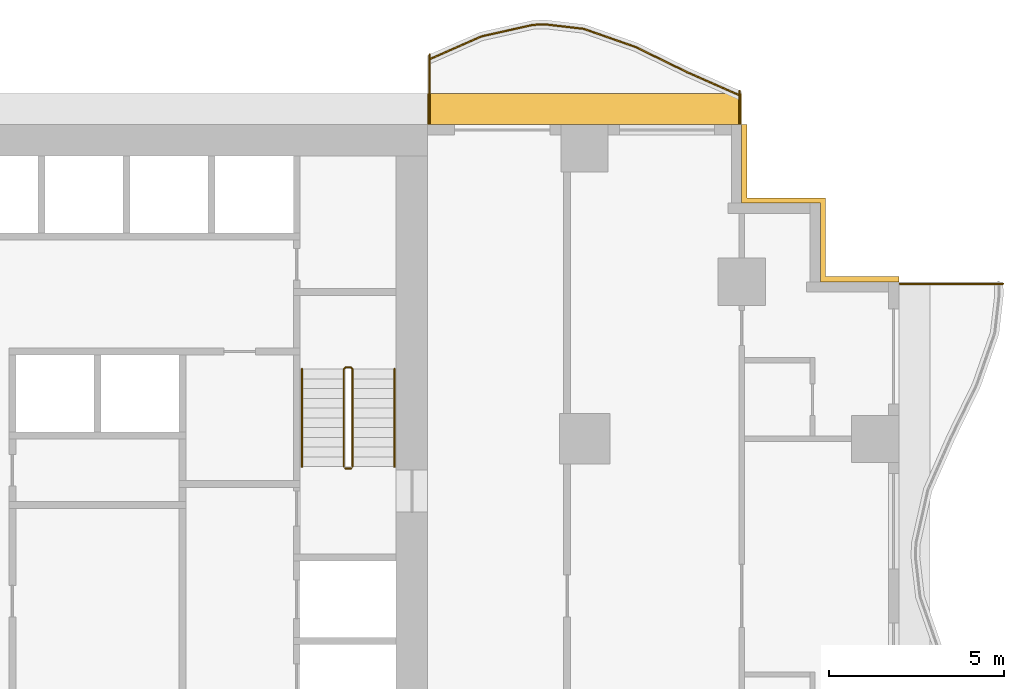
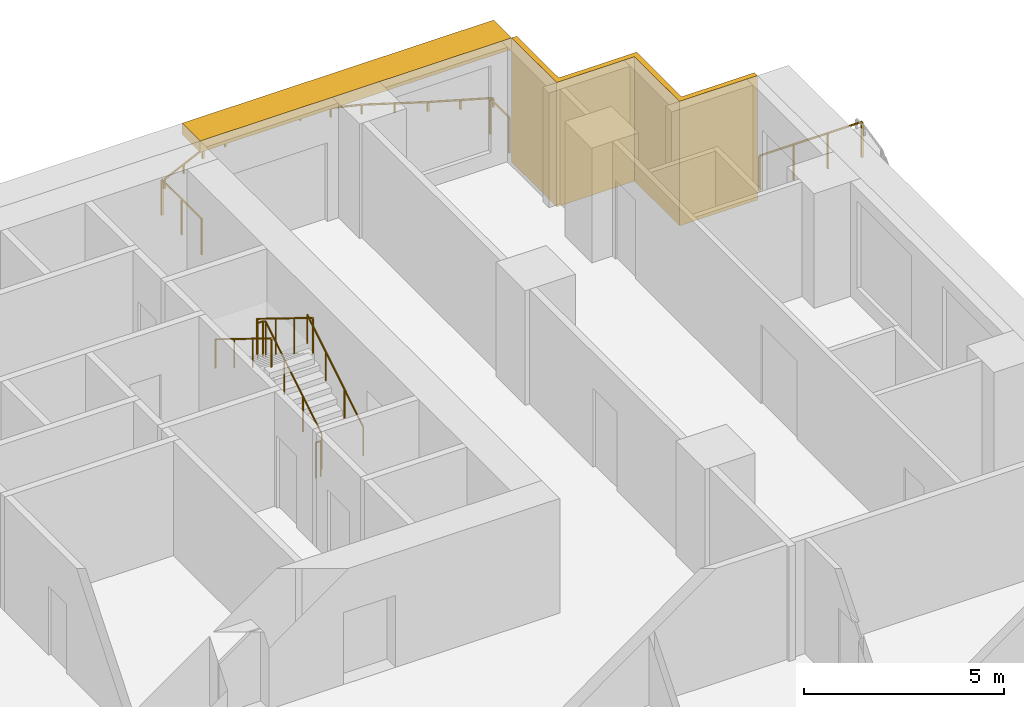
# One storey, part 14 of 14: 8 railings, 2 shading devices.
"""IFC4 building model written with IfcOpenShell, lengths in metres."""

from ifc_helpers import new_model, si_unit, direction, frame, origin, origin_2d, place, context, subcontext, project, spatial, polyline, rectangle, circle, outline, extrude, material, layer, layer_set, type_object, element, save


model = new_model("IFC4")

# Units and contexts
model_context = context("Model", 3, precision=1e-05, world=origin(), true_north=direction((0.0, 1.0)))
body_context = subcontext(model_context, "Body", "Model", "MODEL_VIEW")
ifc_project = project(units=[si_unit("LENGTHUNIT", "METRE"), si_unit("AREAUNIT", "SQUARE_METRE"), si_unit("VOLUMEUNIT", "CUBIC_METRE"), si_unit("PLANEANGLEUNIT", "RADIAN"), si_unit("MASSUNIT", "GRAM", prefix="KILO")], contexts=[model_context])

# Site, building, storey
site_placement = place(None, origin())
site = spatial("IfcSite", under=ifc_project, at=site_placement, CompositionType="ELEMENT")
building_placement = place(site_placement, origin())
building = spatial("IfcBuilding", under=site, at=building_placement, Name="Orbiselva Terraces", CompositionType="ELEMENT")
storey_placement = place(building_placement, frame((0.0, 0.0, 73.2)))
storey = spatial("IfcBuildingStorey", under=building, at=storey_placement, Name="L18", CompositionType="ELEMENT", Elevation=73.2)

# Railings
ifc_material_1 = material(Name="Stainless steel", Category="steel")
railing_type_1 = type_object("IfcRailingType", Name="CORE-GUARD-1100", PredefinedType="GUARDRAIL", material=ifc_material_1)
railing_1_placement = place(storey_placement, frame((11.35, 12.7, 0.172727)))
element("IfcRailing", 1, at=railing_1_placement, inside=storey, type_object=railing_type_1, Name="L18 S2 stair guard 1", PredefinedType="GUARDRAIL", context=body_context, shape_type="SweptSolid", body=[
    extrude(circle(Radius=0.024, at=origin_2d()), frame((0.0, 0.0, 1.081), z_axis=(0.0, 0.851088519012, 0.52502222125), x_axis=(-1.0, 0.0, 0.0)), (0.0, 0.0, 1.0), 3.289905),
    extrude(circle(Radius=0.024, at=origin_2d()), frame((0.0, 2.8, 2.808273), z_axis=(-0.707106781187, 0.707106781187, 0.0), x_axis=(-0.707106781187, -0.707106781187, 0.0)), (0.0, 0.0, 1.0), 0.070711),
    extrude(circle(Radius=0.024, at=origin_2d()), frame((-0.05, 2.85, 2.808273), z_axis=(-1.0, 0.0, 0.0), x_axis=(0.0, -1.0, 0.0)), (0.0, 0.0, 1.0), 0.15),
    extrude(circle(Radius=0.024, at=origin_2d()), frame((-0.2, 2.85, 2.808273), z_axis=(-0.267894925557, -0.267894925557, 0.925453736133), x_axis=(0.707106781187, -0.707106781187, 0.0)), (0.0, 0.0, 1.0), 0.18664),
    extrude(circle(Radius=0.024, at=origin_2d()), frame((-0.25, 2.8, 2.981), z_axis=(0.0, -0.851088519012, 0.52502222125), x_axis=(1.0, 0.0, 0.0)), (0.0, 0.0, 1.0), 3.289905),
    extrude(circle(Radius=0.021, at=origin_2d()), origin(), (0.0, 0.0, 1.0), 1.057),
    extrude(circle(Radius=0.021, at=origin_2d()), frame((0.0, 0.933333, 0.575758)), (0.0, 0.0, 1.0), 1.057),
    extrude(circle(Radius=0.021, at=origin_2d()), frame((0.0, 1.866667, 1.151515)), (0.0, 0.0, 1.0), 1.057),
    extrude(circle(Radius=0.021, at=origin_2d()), frame((0.0, 2.8, 1.727273)), (0.0, 0.0, 1.0), 1.057),
    extrude(circle(Radius=0.021, at=origin_2d()), frame((-0.05, 2.85, 1.727273)), (0.0, 0.0, 1.0), 1.057),
    extrude(circle(Radius=0.021, at=origin_2d()), frame((-0.2, 2.85, 1.727273)), (0.0, 0.0, 1.0), 1.057),
    extrude(circle(Radius=0.021, at=origin_2d()), frame((-0.25, 2.8, 1.9)), (0.0, 0.0, 1.0), 1.057),
    extrude(circle(Radius=0.021, at=origin_2d()), frame((-0.25, 1.866667, 2.475758)), (0.0, 0.0, 1.0), 1.057),
    extrude(circle(Radius=0.021, at=origin_2d()), frame((-0.25, 0.933333, 3.051515)), (0.0, 0.0, 1.0), 1.057),
    extrude(circle(Radius=0.021, at=origin_2d()), frame((-0.25, 0.0, 3.627273)), (0.0, 0.0, 1.0), 1.057),
])
railing_2_placement = place(storey_placement, frame((11.3, 12.65, 0.0)))
element("IfcRailing", 2, at=railing_2_placement, inside=storey, type_object=railing_type_1, Name="L18 S2 stair guard 2", PredefinedType="GUARDRAIL", context=body_context, shape_type="SweptSolid", body=[
    extrude(circle(Radius=0.024, at=origin_2d()), frame((0.0, 0.0, 1.081), z_axis=(-1.0, 0.0, 0.0), x_axis=(0.0, -1.0, 0.0)), (0.0, 0.0, 1.0), 0.15),
    extrude(circle(Radius=0.021, at=origin_2d()), origin(), (0.0, 0.0, 1.0), 1.057),
    extrude(circle(Radius=0.021, at=origin_2d()), frame((-0.15, 0.0, 0.0)), (0.0, 0.0, 1.0), 1.057),
])
railing_type_2 = type_object("IfcRailingType", Name="CORE-HANDRAIL-900", PredefinedType="HANDRAIL", material=ifc_material_1)
railing_3_placement = place(storey_placement, frame((12.55, 12.7, 0.172727)))
element("IfcRailing", 3, at=railing_3_placement, inside=storey, type_object=railing_type_2, Name="L18 S2 stair handrail 1", PredefinedType="HANDRAIL", context=body_context, shape_type="SweptSolid", body=[
    extrude(circle(Radius=0.024, at=origin_2d()), frame((0.0, 0.0, 0.876), z_axis=(0.0, 0.851088519012, 0.52502222125), x_axis=(-1.0, 0.0, 0.0)), (0.0, 0.0, 1.0), 3.289905),
    extrude(circle(Radius=0.021, at=origin_2d()), origin(), (0.0, 0.0, 1.0), 0.852),
    extrude(circle(Radius=0.021, at=origin_2d()), frame((0.0, 0.933333, 0.575758)), (0.0, 0.0, 1.0), 0.852),
    extrude(circle(Radius=0.021, at=origin_2d()), frame((0.0, 1.866667, 1.151515)), (0.0, 0.0, 1.0), 0.852),
    extrude(circle(Radius=0.021, at=origin_2d()), frame((0.0, 2.8, 1.727273)), (0.0, 0.0, 1.0), 0.852),
])
railing_4_placement = place(storey_placement, frame((9.9, 15.5, 2.072727)))
element("IfcRailing", 4, at=railing_4_placement, inside=storey, type_object=railing_type_2, Name="L18 S2 stair handrail 2", PredefinedType="HANDRAIL", context=body_context, shape_type="SweptSolid", body=[
    extrude(circle(Radius=0.024, at=origin_2d()), frame((0.0, 0.0, 0.876), z_axis=(0.0, -0.851088519012, 0.52502222125), x_axis=(1.0, 0.0, 0.0)), (0.0, 0.0, 1.0), 3.289905),
    extrude(circle(Radius=0.021, at=origin_2d()), origin(), (0.0, 0.0, 1.0), 0.852),
    extrude(circle(Radius=0.021, at=origin_2d()), frame((0.0, -0.933333, 0.575758)), (0.0, 0.0, 1.0), 0.852),
    extrude(circle(Radius=0.021, at=origin_2d()), frame((0.0, -1.866667, 1.151515)), (0.0, 0.0, 1.0), 0.852),
    extrude(circle(Radius=0.021, at=origin_2d()), frame((0.0, -2.8, 1.727273)), (0.0, 0.0, 1.0), 0.852),
])
ifc_material_2 = material(Name="Bonded two-ply safety glass balustrade, stainless steel posts", Category="steel")
railing_type_3 = type_object("IfcRailingType", Name="ENV-BALUSTRADE-1200", PredefinedType="BALUSTRADE", material=ifc_material_2)
railing_5_placement = place(storey_placement, frame((22.449606, 23.33708, 0.9)))
element("IfcRailing", 5, at=railing_5_placement, inside=storey, type_object=railing_type_3, Name="Balcony balustrade L18 NE", PredefinedType="BALUSTRADE", context=body_context, shape_type="SweptSolid", body=[
    extrude(outline(polyline([(0.028868, 0.0), (0.014434, 0.025), (-0.014434, 0.025), (-0.028868, 0.0), (-0.014434, -0.025), (0.014434, -0.025), (0.028868, 0.0)])), frame((0.0, 0.0, 0.275), z_axis=(-0.915133394491, 0.403151175476, 0.0), x_axis=(-0.403151175476, -0.915133394491, 0.0)), (0.0, 0.0, 1.0), 1.641563),
    extrude(outline(polyline([(0.028868, 0.0), (0.014434, 0.025), (-0.014434, 0.025), (-0.028868, 0.0), (-0.014434, -0.025), (0.014434, -0.025), (0.028868, 0.0)])), frame((-1.502249, 0.661798, 0.275), z_axis=(-0.89857890432, 0.438811978768, 0.0), x_axis=(-0.438811978768, -0.89857890432, 0.0)), (0.0, 0.0, 1.0), 1.66438),
    extrude(outline(polyline([(0.028868, 0.0), (0.014434, 0.025), (-0.014434, 0.025), (-0.028868, 0.0), (-0.014434, -0.025), (0.014434, -0.025), (0.028868, 0.0)])), frame((-2.997826, 1.392148, 0.275), z_axis=(-0.943972277814, 0.330024754707, 0.0), x_axis=(-0.330024754707, -0.943972277814, 0.0)), (0.0, 0.0, 1.0), 1.567807),
    extrude(outline(polyline([(0.028868, 0.0), (0.014434, 0.025), (-0.014434, 0.025), (-0.028868, 0.0), (-0.014434, -0.025), (0.014434, -0.025), (0.028868, 0.0)])), frame((-4.477792, 1.909563, 0.275), z_axis=(-0.993309658409, 0.115481264762, 0.0), x_axis=(-0.115481264762, -0.993309658409, 0.0)), (0.0, 0.0, 1.0), 1.10902),
    extrude(outline(polyline([(0.028868, 0.0), (0.014434, 0.025), (-0.014434, 0.025), (-0.028868, 0.0), (-0.014434, -0.025), (0.014434, -0.025), (0.028868, 0.0)])), frame((-5.579392, 2.037634, 0.275), z_axis=(-0.999224931454, -0.039364150694, 0.0), x_axis=(0.039364150694, -0.999224931454, 0.0)), (0.0, 0.0, 1.0), 0.354206),
    extrude(outline(polyline([(0.028868, 0.0), (0.014434, 0.025), (-0.014434, 0.025), (-0.028868, 0.0), (-0.014434, -0.025), (0.014434, -0.025), (0.028868, 0.0)])), frame((-5.933323, 2.023691, 0.275), z_axis=(-0.975721325753, -0.219015740235, 0.0), x_axis=(0.219015740235, -0.975721325753, 0.0)), (0.0, 0.0, 1.0), 1.513782),
    extrude(outline(polyline([(0.028868, 0.0), (0.014434, 0.025), (-0.014434, 0.025), (-0.028868, 0.0), (-0.014434, -0.025), (0.014434, -0.025), (0.028868, 0.0)])), frame((-7.410352, 1.692149, 0.275), z_axis=(-0.915133311645, -0.403151363532, 0.0), x_axis=(0.403151363532, -0.915133311645, 0.0)), (0.0, 0.0, 1.0), 1.626932),
    extrude(rectangle(XDim=0.05, YDim=0.05, at=origin_2d()), origin(), (0.0, 0.0, 1.0), 0.25),
    extrude(rectangle(XDim=0.05, YDim=0.05, at=origin_2d()), frame((-0.751124, 0.330899, 0.0)), (0.0, 0.0, 1.0), 0.25),
    extrude(rectangle(XDim=0.05, YDim=0.05, at=origin_2d()), frame((-1.502249, 0.661798, 0.0)), (0.0, 0.0, 1.0), 0.25),
    extrude(rectangle(XDim=0.05, YDim=0.05, at=origin_2d()), frame((-2.250037, 1.026973, 0.0)), (0.0, 0.0, 1.0), 0.25),
    extrude(rectangle(XDim=0.05, YDim=0.05, at=origin_2d()), frame((-2.997826, 1.392148, 0.0)), (0.0, 0.0, 1.0), 0.25),
    extrude(rectangle(XDim=0.05, YDim=0.05, at=origin_2d()), frame((-3.737809, 1.650855, 0.0)), (0.0, 0.0, 1.0), 0.25),
    extrude(rectangle(XDim=0.05, YDim=0.05, at=origin_2d()), frame((-4.477792, 1.909563, 0.0)), (0.0, 0.0, 1.0), 0.25),
    extrude(rectangle(XDim=0.05, YDim=0.05, at=origin_2d()), frame((-5.579392, 2.037634, 0.0)), (0.0, 0.0, 1.0), 0.25),
    extrude(rectangle(XDim=0.05, YDim=0.05, at=origin_2d()), frame((-5.933323, 2.023691, 0.0)), (0.0, 0.0, 1.0), 0.25),
    extrude(rectangle(XDim=0.05, YDim=0.05, at=origin_2d()), frame((-6.671837, 1.85792, 0.0)), (0.0, 0.0, 1.0), 0.25),
    extrude(rectangle(XDim=0.05, YDim=0.05, at=origin_2d()), frame((-7.410352, 1.692149, 0.0)), (0.0, 0.0, 1.0), 0.25),
    extrude(rectangle(XDim=0.05, YDim=0.05, at=origin_2d()), frame((-8.154782, 1.364199, 0.0)), (0.0, 0.0, 1.0), 0.25),
    extrude(rectangle(XDim=0.05, YDim=0.05, at=origin_2d()), frame((-8.899212, 1.036249, 0.0)), (0.0, 0.0, 1.0), 0.25),
])
ifc_material_3 = material(Name="Stainless steel rail and posts", Category="steel")
railing_type_4 = type_object("IfcRailingType", Name="ENV-GUARD-1105", PredefinedType="BALUSTRADE", material=ifc_material_3)
railing_6_placement = place(storey_placement, frame((29.989569, 17.94, 0.0)))
element("IfcRailing", 6, at=railing_6_placement, inside=storey, type_object=railing_type_4, Name="Balcony end guard L18 E", PredefinedType="BALUSTRADE", context=body_context, shape_type="SweptSolid", body=[
    extrude(outline(polyline([(0.028868, 0.0), (0.014434, 0.025), (-0.014434, 0.025), (-0.028868, 0.0), (-0.014434, -0.025), (0.014434, -0.025), (0.028868, 0.0)])), frame((0.0, 0.0, 1.08), z_axis=(-1.0, 0.0, 0.0), x_axis=(0.0, -1.0, 0.0)), (0.0, 0.0, 1.0), 2.964569),
    extrude(rectangle(XDim=0.05, YDim=0.05, at=origin_2d()), origin(), (0.0, 0.0, 1.0), 1.055),
    extrude(rectangle(XDim=0.05, YDim=0.05, at=origin_2d()), frame((-0.98819, 0.0, 0.0)), (0.0, 0.0, 1.0), 1.055),
    extrude(rectangle(XDim=0.05, YDim=0.05, at=origin_2d()), frame((-1.976379, 0.0, 0.0)), (0.0, 0.0, 1.0), 1.055),
    extrude(rectangle(XDim=0.05, YDim=0.05, at=origin_2d()), frame((-2.964569, 0.0, 0.0)), (0.0, 0.0, 1.0), 1.055),
])
railing_7_placement = place(storey_placement, frame((22.44, 23.473063, 0.0)))
element("IfcRailing", 7, at=railing_7_placement, inside=storey, type_object=railing_type_4, Name="Balcony end guard L18 NE", PredefinedType="BALUSTRADE", context=body_context, shape_type="SweptSolid", body=[
    extrude(outline(polyline([(0.028868, 0.0), (0.014434, 0.025), (-0.014434, 0.025), (-0.028868, 0.0), (-0.014434, -0.025), (0.014434, -0.025), (0.028868, 0.0)])), frame((0.0, 0.0, 1.08), z_axis=(0.0, -1.0, 0.0), x_axis=(1.0, 0.0, 0.0)), (0.0, 0.0, 1.0), 0.948063),
    extrude(rectangle(XDim=0.05, YDim=0.05, at=origin_2d()), origin(), (0.0, 0.0, 1.0), 1.055),
    extrude(rectangle(XDim=0.05, YDim=0.05, at=origin_2d()), frame((0.0, -0.948063, 0.0)), (0.0, 0.0, 1.0), 1.055),
])
railing_8_placement = place(storey_placement, frame((13.56, 24.517447, 0.0)))
element("IfcRailing", 8, at=railing_8_placement, inside=storey, type_object=railing_type_4, Name="Balcony end guard L18 NE", PredefinedType="BALUSTRADE", context=body_context, shape_type="SweptSolid", body=[
    extrude(outline(polyline([(0.028868, 0.0), (0.014434, 0.025), (-0.014434, 0.025), (-0.028868, 0.0), (-0.014434, -0.025), (0.014434, -0.025), (0.028868, 0.0)])), frame((0.0, 0.0, 1.08), z_axis=(0.0, -1.0, 0.0), x_axis=(1.0, 0.0, 0.0)), (0.0, 0.0, 1.0), 1.992447),
    extrude(rectangle(XDim=0.05, YDim=0.05, at=origin_2d()), origin(), (0.0, 0.0, 1.0), 1.055),
    extrude(rectangle(XDim=0.05, YDim=0.05, at=origin_2d()), frame((0.0, -0.996224, 0.0)), (0.0, 0.0, 1.0), 1.055),
    extrude(rectangle(XDim=0.05, YDim=0.05, at=origin_2d()), frame((0.0, -1.992447, 0.0)), (0.0, 0.0, 1.0), 1.055),
])

# Shading devices
ifc_material_4 = material(Name="Terracotta louvre screen", Category="masonry")
ifc_layer_1 = layer(ifc_material_4, 0.15)
ifc_layer_set_1 = layer_set([ifc_layer_1], Name="Terracotta louvre screen")
shading_device_type_1 = type_object("IfcShadingDeviceType", Name="ENV-SCREEN-150", PredefinedType="USERDEFINED", material=ifc_layer_set_1)
shading_device_1_placement = place(storey_placement, frame((0.0, 0.0, -0.3)))
element("IfcShadingDevice", 9, at=shading_device_1_placement, inside=storey, type_object=shading_device_type_1, Name="Louvre screen L18 NE", ObjectType="SCREEN", PredefinedType="USERDEFINED", context=body_context, shape_type="SweptSolid", body=[
    extrude(outline(polyline([(27.0, 18.15), (24.9, 18.15), (24.9, 20.4), (22.65, 20.4), (22.65, 22.5), (22.5, 22.5), (22.5, 20.25), (24.75, 20.25), (24.75, 18.0), (27.0, 18.0), (27.0, 18.15)])), origin(), (0.0, 0.0, 1.0), 3.8),
])
ifc_material_5 = material(Name="Terracotta baguette sunshade", Category="masonry")
ifc_layer_2 = layer(ifc_material_5, 0.35)
ifc_layer_set_2 = layer_set([ifc_layer_2], Name="Terracotta baguette sunshade")
shading_device_type_2 = type_object("IfcShadingDeviceType", Name="ENV-SUNSHADE-900x350", PredefinedType="USERDEFINED", material=ifc_layer_set_2)
shading_device_2_placement = place(storey_placement, frame((0.0, 0.0, 3.15)))
element("IfcShadingDevice", 10, at=shading_device_2_placement, inside=storey, type_object=shading_device_type_2, Name="Sunshade band L18 NE", ObjectType="SUNSHADE", PredefinedType="USERDEFINED", context=body_context, shape_type="SweptSolid", body=[
    extrude(outline(polyline([(22.5, 23.4), (13.5, 23.4), (13.5, 22.5), (22.5, 22.5), (22.5, 23.4)])), origin(), (0.0, 0.0, 1.0), 0.35),
])

save(model, "model.ifc")
